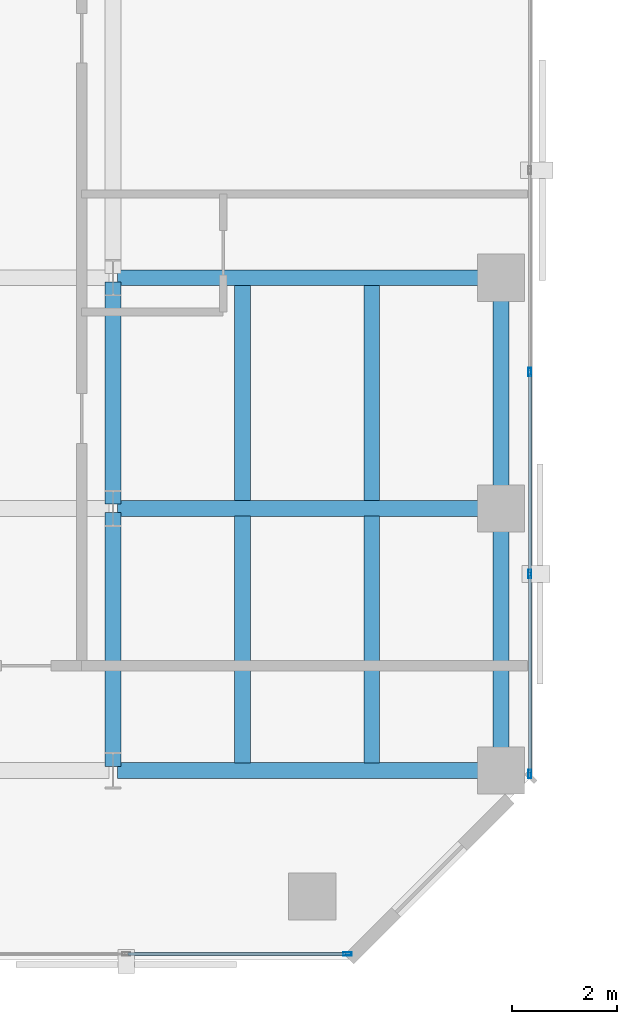
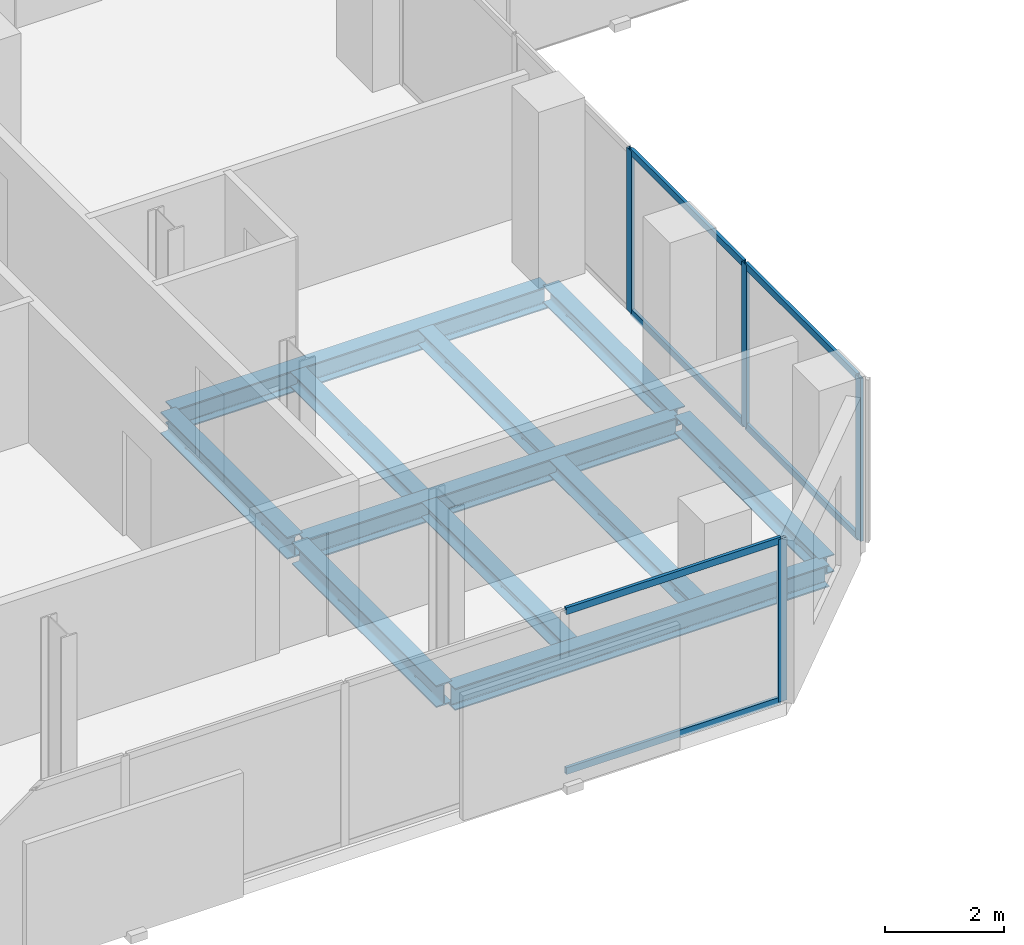
# One storey, part 7 of 33: 11 beams, 10 members, 2 elements without a shape of their own.
"""IFC4 building model written with IfcOpenShell, lengths in metres."""

from ifc_helpers import new_model, si_unit, direction, frame, origin, origin_2d, place, context, subcontext, project, spatial, hollow_rectangle, i_section, extrude, material, layer, layer_set, material_profile, profile_set, type_object, element, aggregate, save


model = new_model("IFC4")

# Units and contexts
model_context = context("Model", 3, precision=1e-05, world=origin(), true_north=direction((0.0, 1.0)))
body_context = subcontext(model_context, "Body", "Model", "MODEL_VIEW")
ifc_project = project(units=[si_unit("LENGTHUNIT", "METRE"), si_unit("AREAUNIT", "SQUARE_METRE"), si_unit("VOLUMEUNIT", "CUBIC_METRE"), si_unit("PLANEANGLEUNIT", "RADIAN"), si_unit("MASSUNIT", "GRAM", prefix="KILO")], contexts=[model_context])

# Site, building, storey
site_placement = place(None, origin())
site = spatial("IfcSite", under=ifc_project, at=site_placement, CompositionType="ELEMENT")
building_placement = place(site_placement, origin())
building = spatial("IfcBuilding", under=site, at=building_placement, Name="Catumbela Crestline Tower", CompositionType="ELEMENT")
storey_placement = place(building_placement, frame((0.0, 0.0, 108.0)))
storey = spatial("IfcBuildingStorey", under=building, at=storey_placement, Name="L27", CompositionType="ELEMENT", Elevation=108.0)

# Beams
ifc_material_1 = material(Name="Structural steel S355J2", Category="steel")
ifc_material_profile_1 = material_profile(ifc_material_1, i_section(OverallWidth=0.3, OverallDepth=0.45, WebThickness=0.014, FlangeThickness=0.026, FilletRadius=0.027, at=origin_2d()), Name="HEB 450")
ifc_profile_set_1 = profile_set([ifc_material_profile_1], Name="Structural steel S355J2")
beam_type_1 = type_object("IfcBeamType", Name="BG-HEB450", PredefinedType="BEAM", material=ifc_profile_set_1)
for number, where, z_axis, x_axis, name in (
    (1, (16.08, 8.6, -0.485), (1.0, 0.0, 0.0), (0.0, 1.0, 0.0), "L27 Beam BM-L27-WEW45"),
    (2, (16.08, 13.6, -0.485), (1.0, 0.0, 0.0), (0.0, 1.0, 0.0), "L27 Beam BM-L27-WEW48"),
    (3, (16.08, 18.0, -0.485), (1.0, 0.0, 0.0), (0.0, 1.0, 0.0), "L27 Beam BM-L27-WEW51"),
):
    element("IfcBeam", number, at=place(storey_placement, frame(where, z_axis=z_axis, x_axis=x_axis)), inside=storey, type_object=beam_type_1, Name=name, PredefinedType="BEAM", context=body_context, shape_type="SweptSolid", body=[
        extrude(i_section(OverallWidth=0.3, OverallDepth=0.45, WebThickness=0.014, FlangeThickness=0.026, FilletRadius=0.027, at=origin_2d()), origin(), (0.0, 0.0, 1.0), 7.24),
    ])
beam_1_placement = place(storey_placement, frame((16.0, 8.68, -0.485), z_axis=(0.0, 1.0, 0.0), x_axis=(-1.0, 0.0, 0.0)))
element("IfcBeam", 4, at=beam_1_placement, inside=storey, type_object=beam_type_1, Name="L27 Beam BM-L27-WNS58", PredefinedType="BEAM", context=body_context, shape_type="SweptSolid", body=[
    extrude(i_section(OverallWidth=0.3, OverallDepth=0.45, WebThickness=0.014, FlangeThickness=0.026, FilletRadius=0.027, at=origin_2d()), origin(), (0.0, 0.0, 1.0), 4.84),
])
beam_2_placement = place(storey_placement, frame((16.0, 13.68, -0.485), z_axis=(0.0, 1.0, 0.0), x_axis=(-1.0, 0.0, 0.0)))
element("IfcBeam", 5, at=beam_2_placement, inside=storey, type_object=beam_type_1, Name="L27 Beam BM-L27-WNS59", PredefinedType="BEAM", context=body_context, shape_type="SweptSolid", body=[
    extrude(i_section(OverallWidth=0.3, OverallDepth=0.45, WebThickness=0.014, FlangeThickness=0.026, FilletRadius=0.027, at=origin_2d()), origin(), (0.0, 0.0, 1.0), 4.24),
])
ifc_material_profile_2 = material_profile(ifc_material_1, i_section(OverallWidth=0.3, OverallDepth=0.31, WebThickness=0.009, FlangeThickness=0.0155, FilletRadius=0.027, at=origin_2d()), Name="HEA 320")
ifc_profile_set_2 = profile_set([ifc_material_profile_2], Name="Structural steel S355J2")
beam_type_2 = type_object("IfcBeamType", Name="BJ-HEA320", PredefinedType="JOIST", material=ifc_profile_set_2)
for number, where, z_axis, x_axis, name in (
    (6, (18.467, 8.747, -0.415), (0.0, 1.0, 0.0), (-1.0, 0.0, 0.0), "L27 Joist JS-L27-WG67"),
    (7, (20.933, 8.747, -0.415), (0.0, 1.0, 0.0), (-1.0, 0.0, 0.0), "L27 Joist JS-L27-WG68"),
):
    element("IfcBeam", number, at=place(storey_placement, frame(where, z_axis=z_axis, x_axis=x_axis)), inside=storey, type_object=beam_type_2, Name=name, PredefinedType="JOIST", context=body_context, shape_type="SweptSolid", body=[
        extrude(i_section(OverallWidth=0.3, OverallDepth=0.31, WebThickness=0.009, FlangeThickness=0.0155, FilletRadius=0.027, at=origin_2d()), origin(), (0.0, 0.0, 1.0), 4.706),
    ])
for number, where, z_axis, x_axis, name in (
    (8, (18.467, 13.747, -0.415), (0.0, 1.0, 0.0), (-1.0, 0.0, 0.0), "L27 Joist JS-L27-WG73"),
    (9, (20.933, 13.747, -0.415), (0.0, 1.0, 0.0), (-1.0, 0.0, 0.0), "L27 Joist JS-L27-WG74"),
):
    element("IfcBeam", number, at=place(storey_placement, frame(where, z_axis=z_axis, x_axis=x_axis)), inside=storey, type_object=beam_type_2, Name=name, PredefinedType="JOIST", context=body_context, shape_type="SweptSolid", body=[
        extrude(i_section(OverallWidth=0.3, OverallDepth=0.31, WebThickness=0.009, FlangeThickness=0.0155, FilletRadius=0.027, at=origin_2d()), origin(), (0.0, 0.0, 1.0), 4.106),
    ])

# Curtain wall, member
ifc_material_2 = material(Name="Aluminium alloy AW-6060-T66", Category="aluminium")
ifc_layer = layer(ifc_material_2, 0.18, Name="Aluminium alloy AW-6060-T66")
ifc_layer_set = layer_set([ifc_layer], Name="Aluminium alloy AW-6060-T66")
curtain_wall_type = type_object("IfcCurtainWallType", Name="CWU-Z2", PredefinedType="USERDEFINED", material=ifc_layer_set)
curtain_wall_1_placement = place(storey_placement, origin())
curtain_wall_1 = element("IfcCurtainWall", 10, at=curtain_wall_1_placement, inside=storey, type_object=curtain_wall_type, Name="L27 Unitised Curtain Wall CW-L27-E0S1", ObjectType="UNITISED", PredefinedType="USERDEFINED")
ifc_material_profile_3 = material_profile(ifc_material_2, hollow_rectangle(XDim=0.06, YDim=0.16, WallThickness=0.004, at=origin_2d()), Name="ALU 160x60x4")
ifc_profile_set_3 = profile_set([ifc_material_profile_3], Name="Aluminium alloy AW-6060-T66")
member_type_1 = type_object("IfcMemberType", Name="MUL-160X60", PredefinedType="MULLION", material=ifc_profile_set_3)
member_1_placement = place(storey_placement, frame((20.4675, 5.1, 0.0), z_axis=(0.0, 0.0, 1.0), x_axis=(0.0, 1.0, 0.0)))
member_1 = element("IfcMember", 11, at=member_1_placement, type_object=member_type_1, Name="CWU-Z2 mullion 5", PredefinedType="MULLION", context=body_context, shape_type="SweptSolid", body=[
    extrude(hollow_rectangle(XDim=0.06, YDim=0.16, WallThickness=0.004, at=origin_2d()), origin(), (0.0, 0.0, 1.0), 3.33),
])

# Curtain wall, members
curtain_wall_2_placement = place(storey_placement, origin())
curtain_wall_2 = element("IfcCurtainWall", 12, at=curtain_wall_2_placement, inside=storey, type_object=curtain_wall_type, Name="L27 Unitised Curtain Wall CW-L27-E2S1", ObjectType="UNITISED", PredefinedType="USERDEFINED")
member_2_placement = place(storey_placement, frame((23.95, 8.5325, 0.0), z_axis=(0.0, 0.0, 1.0), x_axis=(-1.0, 0.0, 0.0)))
member_2 = element("IfcMember", 13, at=member_2_placement, type_object=member_type_1, Name="CWU-Z2 mullion 1", PredefinedType="MULLION", context=body_context, shape_type="SweptSolid", body=[
    extrude(hollow_rectangle(XDim=0.06, YDim=0.16, WallThickness=0.004, at=origin_2d()), origin(), (0.0, 0.0, 1.0), 3.33),
])
member_3_placement = place(storey_placement, frame((23.95, 12.35, 0.0), z_axis=(0.0, 0.0, 1.0), x_axis=(-1.0, 0.0, 0.0)))
member_3 = element("IfcMember", 14, at=member_3_placement, type_object=member_type_1, Name="CWU-Z2 mullion 2", PredefinedType="MULLION", context=body_context, shape_type="SweptSolid", body=[
    extrude(hollow_rectangle(XDim=0.06, YDim=0.16, WallThickness=0.004, at=origin_2d()), origin(), (0.0, 0.0, 1.0), 3.33),
])
member_4_placement = place(storey_placement, frame((23.95, 16.2, 0.0), z_axis=(0.0, 0.0, 1.0), x_axis=(-1.0, 0.0, 0.0)))
member_4 = element("IfcMember", 15, at=member_4_placement, type_object=member_type_1, Name="CWU-Z2 mullion 3", PredefinedType="MULLION", context=body_context, shape_type="SweptSolid", body=[
    extrude(hollow_rectangle(XDim=0.06, YDim=0.16, WallThickness=0.004, at=origin_2d()), origin(), (0.0, 0.0, 1.0), 3.33),
])

# Beams
ifc_material_profile_4 = material_profile(ifc_material_1, i_section(OverallWidth=0.3, OverallDepth=0.36, WebThickness=0.0125, FlangeThickness=0.0225, FilletRadius=0.027, at=origin_2d()), Name="HEB 360")
ifc_profile_set_4 = profile_set([ifc_material_profile_4], Name="Structural steel S355J2")
beam_type_3 = type_object("IfcBeamType", Name="BS-HEB360", PredefinedType="SPANDREL", material=ifc_profile_set_4)
beam_3_placement = place(storey_placement, frame((23.4, 8.68, -0.44), z_axis=(0.0, 1.0, 0.0), x_axis=(-1.0, 0.0, 0.0)))
element("IfcBeam", 16, at=beam_3_placement, inside=storey, type_object=beam_type_3, Name="L27 Spandrel SP-L27-WNS61", PredefinedType="SPANDREL", context=body_context, shape_type="SweptSolid", body=[
    extrude(i_section(OverallWidth=0.3, OverallDepth=0.36, WebThickness=0.0125, FlangeThickness=0.0225, FilletRadius=0.027, at=origin_2d()), origin(), (0.0, 0.0, 1.0), 4.84),
])
beam_4_placement = place(storey_placement, frame((23.4, 13.68, -0.44), z_axis=(0.0, 1.0, 0.0), x_axis=(-1.0, 0.0, 0.0)))
element("IfcBeam", 17, at=beam_4_placement, inside=storey, type_object=beam_type_3, Name="L27 Spandrel SP-L27-WNS62", PredefinedType="SPANDREL", context=body_context, shape_type="SweptSolid", body=[
    extrude(i_section(OverallWidth=0.3, OverallDepth=0.36, WebThickness=0.0125, FlangeThickness=0.0225, FilletRadius=0.027, at=origin_2d()), origin(), (0.0, 0.0, 1.0), 4.24),
])

# Member
ifc_material_profile_5 = material_profile(ifc_material_2, hollow_rectangle(XDim=0.06, YDim=0.14, WallThickness=0.004, at=origin_2d()), Name="ALU 140x60x4")
ifc_profile_set_5 = profile_set([ifc_material_profile_5], Name="Aluminium alloy AW-6060-T66")
member_type_2 = type_object("IfcMemberType", Name="TRN-140X60", PredefinedType="USERDEFINED", material=ifc_profile_set_5)
member_5_placement = place(storey_placement, frame((16.2825, 5.1, 0.03), z_axis=(1.0, 0.0, 0.0), x_axis=(0.0, 1.0, 0.0)))
member_5 = element("IfcMember", 18, at=member_5_placement, type_object=member_type_2, Name="CWU-Z2 transom 4.1", ObjectType="TRANSOM", PredefinedType="USERDEFINED", context=body_context, shape_type="SweptSolid", body=[
    extrude(hollow_rectangle(XDim=0.06, YDim=0.14, WallThickness=0.004, at=origin_2d()), origin(), (0.0, 0.0, 1.0), 4.1525),
])

member_6_placement = place(storey_placement, frame((16.2825, 5.1, 3.3), z_axis=(1.0, 0.0, 0.0), x_axis=(0.0, 1.0, 0.0)))
member_6 = element("IfcMember", 19, at=member_6_placement, type_object=member_type_2, Name="CWU-Z2 transom 4.2", ObjectType="TRANSOM", PredefinedType="USERDEFINED", context=body_context, shape_type="SweptSolid", body=[
    extrude(hollow_rectangle(XDim=0.06, YDim=0.14, WallThickness=0.004, at=origin_2d()), origin(), (0.0, 0.0, 1.0), 4.1525),
])

aggregate(curtain_wall_1, [member_1, member_5, member_6])

member_7_placement = place(storey_placement, frame((23.95, 8.565, 0.03), z_axis=(0.0, 1.0, 0.0), x_axis=(-1.0, 0.0, 0.0)))
member_7 = element("IfcMember", 20, at=member_7_placement, type_object=member_type_2, Name="CWU-Z2 transom 1.1", ObjectType="TRANSOM", PredefinedType="USERDEFINED", context=body_context, shape_type="SweptSolid", body=[
    extrude(hollow_rectangle(XDim=0.06, YDim=0.14, WallThickness=0.004, at=origin_2d()), origin(), (0.0, 0.0, 1.0), 3.7525),
])

member_8_placement = place(storey_placement, frame((23.95, 8.565, 3.3), z_axis=(0.0, 1.0, 0.0), x_axis=(-1.0, 0.0, 0.0)))
member_8 = element("IfcMember", 21, at=member_8_placement, type_object=member_type_2, Name="CWU-Z2 transom 1.2", ObjectType="TRANSOM", PredefinedType="USERDEFINED", context=body_context, shape_type="SweptSolid", body=[
    extrude(hollow_rectangle(XDim=0.06, YDim=0.14, WallThickness=0.004, at=origin_2d()), origin(), (0.0, 0.0, 1.0), 3.7525),
])

member_9_placement = place(storey_placement, frame((23.95, 12.3825, 0.03), z_axis=(0.0, 1.0, 0.0), x_axis=(-1.0, 0.0, 0.0)))
member_9 = element("IfcMember", 22, at=member_9_placement, type_object=member_type_2, Name="CWU-Z2 transom 2.1", ObjectType="TRANSOM", PredefinedType="USERDEFINED", context=body_context, shape_type="SweptSolid", body=[
    extrude(hollow_rectangle(XDim=0.06, YDim=0.14, WallThickness=0.004, at=origin_2d()), origin(), (0.0, 0.0, 1.0), 3.785),
])

member_10_placement = place(storey_placement, frame((23.95, 12.3825, 3.3), z_axis=(0.0, 1.0, 0.0), x_axis=(-1.0, 0.0, 0.0)))
member_10 = element("IfcMember", 23, at=member_10_placement, type_object=member_type_2, Name="CWU-Z2 transom 2.2", ObjectType="TRANSOM", PredefinedType="USERDEFINED", context=body_context, shape_type="SweptSolid", body=[
    extrude(hollow_rectangle(XDim=0.06, YDim=0.14, WallThickness=0.004, at=origin_2d()), origin(), (0.0, 0.0, 1.0), 3.785),
])

aggregate(curtain_wall_2, [member_2, member_3, member_4, member_7, member_8, member_9, member_10])

save(model, "model.ifc")
